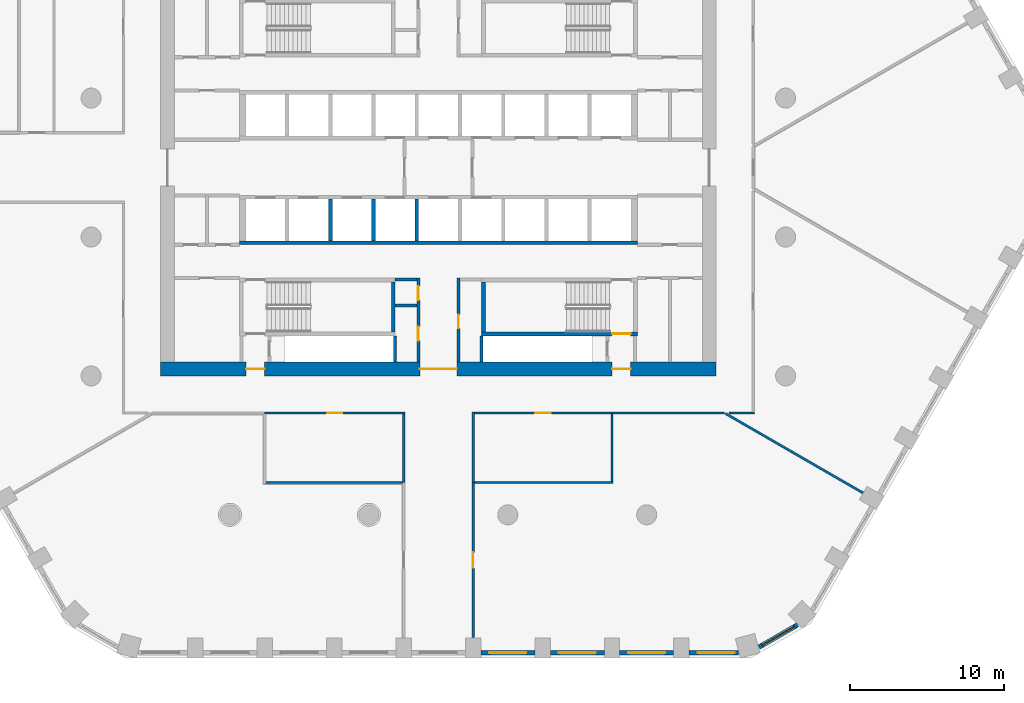
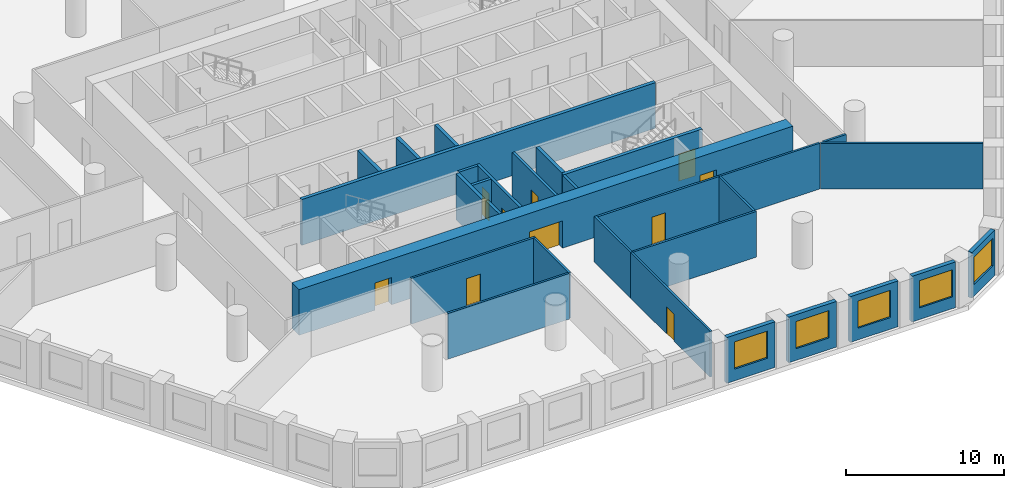
# One storey, part 3 of 14: 30 walls, 10 doors, 5 windows, 15 openings.
"""IFC4 building model written with IfcOpenShell, lengths in metres."""

from ifc_helpers import new_model, si_unit, direction, frame, frame_2d, origin, place, context, subcontext, project, spatial, polyline, rectangle, outline, extrude, material, layer, layer_set, type_object, element, fill, save


model = new_model("IFC4")

# Units and contexts
model_context = context("Model", 3, precision=1e-05, world=origin(), true_north=direction((0.0, 1.0)))
body_context = subcontext(model_context, "Body", "Model", "MODEL_VIEW")
ifc_project = project(units=[si_unit("LENGTHUNIT", "METRE"), si_unit("AREAUNIT", "SQUARE_METRE"), si_unit("VOLUMEUNIT", "CUBIC_METRE"), si_unit("PLANEANGLEUNIT", "RADIAN"), si_unit("MASSUNIT", "GRAM", prefix="KILO")], contexts=[model_context])

# Site, building, storey
site_placement = place(None, origin())
site = spatial("IfcSite", under=ifc_project, at=site_placement, CompositionType="ELEMENT")
building_placement = place(site_placement, origin())
building = spatial("IfcBuilding", under=site, at=building_placement, Name="Dhurran Vertical Campus", CompositionType="ELEMENT")
storey_placement = place(building_placement, frame((0.0, 0.0, 93.0)))
storey = spatial("IfcBuildingStorey", under=building, at=storey_placement, Name="L22", CompositionType="ELEMENT", Elevation=93.0)

# Wall, opening, window
ifc_material_1 = material(Name="Precast concrete C50/60", Category="concrete")
ifc_layer_1 = layer(ifc_material_1, 0.300048828125)
ifc_layer_set_1 = layer_set([ifc_layer_1], Name="Precast concrete C50/60")
wall_type_1 = type_object("IfcWallType", Name="Precast spandrel wall 300", PredefinedType="SOLIDWALL", material=ifc_layer_set_1)
wall_1_placement = place(storey_placement, frame((2.75048828125, -31.4296875, 0.0), z_axis=(0.0, 0.0, 1.0), x_axis=(1.0, 0.0, 0.0)))
wall_1 = element("IfcWall", 1, at=wall_1_placement, inside=storey, type_object=wall_type_1, Name="EW1 L22.05", PredefinedType="SOLIDWALL", context=body_context, shape_type="SweptSolid", body=[
    extrude(rectangle(XDim=3.4990234375, YDim=0.300048828125, at=frame_2d((1.74951171875, 0.0))), origin(), (0.0, 0.0, 1.0), 3.52490234375),
])
opening_1_placement = place(wall_1_placement, frame((0.549560546875, 0.0, 0.89990234375)))
opening_1 = element("IfcOpeningElement", 2, at=opening_1_placement, cuts=wall_1, Name="Opening WT1", PredefinedType="OPENING", context=body_context, shape_type="SweptSolid", body=[
    extrude(rectangle(XDim=2.39990234375, YDim=2.10009765625, at=frame_2d((1.199951171875, 1.050048828125))), frame((0.0, 0.159912109375, 0.0), z_axis=(0.0, -1.0, 0.0), x_axis=(1.0, 0.0, 0.0)), (0.0, 0.0, 1.0), 0.320068359375),
])
ifc_material_2 = material(Name="Aluminium frame with solar-control glass", Category="aluminium")
window_type = type_object("IfcWindowType", Name="Punched window 2400 x 2100", PartitioningType="SINGLE_PANEL", PredefinedType="WINDOW", material=ifc_material_2)
window_1_placement = place(opening_1_placement, origin())
window_1 = element("IfcWindow", 3, at=window_1_placement, inside=storey, type_object=window_type, Name="WT1 L22.05", OverallHeight=2.10009765625, OverallWidth=2.39990234375, PartitioningType="SINGLE_PANEL", PredefinedType="WINDOW", context=body_context, shape_type="SweptSolid", body=[
    extrude(rectangle(XDim=2.39990234375, YDim=2.10009765625, at=frame_2d((1.199951171875, 1.050048828125))), frame((0.0, 0.030029296875, 0.0), z_axis=(0.0, -1.0, 0.0), x_axis=(1.0, 0.0, 0.0)), (0.0, 0.0, 1.0), 0.06005859375),
])
fill(opening_1, window_1)

wall_2_placement = place(storey_placement, frame((7.25048828125, -31.4296875, 0.0), z_axis=(0.0, 0.0, 1.0), x_axis=(1.0, 0.0, 0.0)))
wall_2 = element("IfcWall", 4, at=wall_2_placement, inside=storey, type_object=wall_type_1, Name="EW1 L22.06", PredefinedType="SOLIDWALL", context=body_context, shape_type="SweptSolid", body=[
    extrude(rectangle(XDim=3.4990234375, YDim=0.300048828125, at=frame_2d((1.74951171875, 0.0))), origin(), (0.0, 0.0, 1.0), 3.52490234375),
])
opening_2_placement = place(wall_2_placement, frame((0.549560546875, 0.0, 0.89990234375)))
opening_2 = element("IfcOpeningElement", 5, at=opening_2_placement, cuts=wall_2, Name="Opening WT1", PredefinedType="OPENING", context=body_context, shape_type="SweptSolid", body=[
    extrude(rectangle(XDim=2.39990234375, YDim=2.10009765625, at=frame_2d((1.199951171875, 1.050048828125))), frame((0.0, 0.159912109375, 0.0), z_axis=(0.0, -1.0, 0.0), x_axis=(1.0, 0.0, 0.0)), (0.0, 0.0, 1.0), 0.320068359375),
])
window_2_placement = place(opening_2_placement, origin())
window_2 = element("IfcWindow", 6, at=window_2_placement, inside=storey, type_object=window_type, Name="WT1 L22.06", OverallHeight=2.10009765625, OverallWidth=2.39990234375, PartitioningType="SINGLE_PANEL", PredefinedType="WINDOW", context=body_context, shape_type="SweptSolid", body=[
    extrude(rectangle(XDim=2.39990234375, YDim=2.10009765625, at=frame_2d((1.199951171875, 1.050048828125))), frame((0.0, 0.030029296875, 0.0), z_axis=(0.0, -1.0, 0.0), x_axis=(1.0, 0.0, 0.0)), (0.0, 0.0, 1.0), 0.06005859375),
])
fill(opening_2, window_2)

wall_3_placement = place(storey_placement, frame((11.75048828125, -31.4296875, 0.0), z_axis=(0.0, 0.0, 1.0), x_axis=(1.0, 0.0, 0.0)))
wall_3 = element("IfcWall", 7, at=wall_3_placement, inside=storey, type_object=wall_type_1, Name="EW1 L22.07", PredefinedType="SOLIDWALL", context=body_context, shape_type="SweptSolid", body=[
    extrude(rectangle(XDim=3.4990234375, YDim=0.300048828125, at=frame_2d((1.74951171875, 0.0))), origin(), (0.0, 0.0, 1.0), 3.52490234375),
])
opening_3_placement = place(wall_3_placement, frame((0.549560546875, 0.0, 0.89990234375)))
opening_3 = element("IfcOpeningElement", 8, at=opening_3_placement, cuts=wall_3, Name="Opening WT1", PredefinedType="OPENING", context=body_context, shape_type="SweptSolid", body=[
    extrude(rectangle(XDim=2.39990234375, YDim=2.10009765625, at=frame_2d((1.199951171875, 1.050048828125))), frame((0.0, 0.159912109375, 0.0), z_axis=(0.0, -1.0, 0.0), x_axis=(1.0, 0.0, 0.0)), (0.0, 0.0, 1.0), 0.320068359375),
])
window_3_placement = place(opening_3_placement, origin())
window_3 = element("IfcWindow", 9, at=window_3_placement, inside=storey, type_object=window_type, Name="WT1 L22.07", OverallHeight=2.10009765625, OverallWidth=2.39990234375, PartitioningType="SINGLE_PANEL", PredefinedType="WINDOW", context=body_context, shape_type="SweptSolid", body=[
    extrude(rectangle(XDim=2.39990234375, YDim=2.10009765625, at=frame_2d((1.199951171875, 1.050048828125))), frame((0.0, 0.030029296875, 0.0), z_axis=(0.0, -1.0, 0.0), x_axis=(1.0, 0.0, 0.0)), (0.0, 0.0, 1.0), 0.06005859375),
])
fill(opening_3, window_3)

wall_4_placement = place(storey_placement, frame((16.25048828125, -31.4296875, 0.0), z_axis=(0.0, 0.0, 1.0), x_axis=(1.0, 0.0, 0.0)))
wall_4 = element("IfcWall", 10, at=wall_4_placement, inside=storey, type_object=wall_type_1, Name="EW1 L22.08", PredefinedType="SOLIDWALL", context=body_context, shape_type="SweptSolid", body=[
    extrude(rectangle(XDim=3.1923828125, YDim=0.300048828125, at=frame_2d((1.59619140625, 0.0))), origin(), (0.0, 0.0, 1.0), 3.52490234375),
])
opening_4_placement = place(wall_4_placement, frame((0.549560546875, 0.0, 0.89990234375)))
opening_4 = element("IfcOpeningElement", 11, at=opening_4_placement, cuts=wall_4, Name="Opening WT1", PredefinedType="OPENING", context=body_context, shape_type="SweptSolid", body=[
    extrude(rectangle(XDim=2.39990234375, YDim=2.10009765625, at=frame_2d((1.199951171875, 1.050048828125))), frame((0.0, 0.159912109375, 0.0), z_axis=(0.0, -1.0, 0.0), x_axis=(1.0, 0.0, 0.0)), (0.0, 0.0, 1.0), 0.320068359375),
])
window_4_placement = place(opening_4_placement, origin())
window_4 = element("IfcWindow", 12, at=window_4_placement, inside=storey, type_object=window_type, Name="WT1 L22.08", OverallHeight=2.10009765625, OverallWidth=2.39990234375, PartitioningType="SINGLE_PANEL", PredefinedType="WINDOW", context=body_context, shape_type="SweptSolid", body=[
    extrude(rectangle(XDim=2.39990234375, YDim=2.10009765625, at=frame_2d((1.199951171875, 1.050048828125))), frame((0.0, 0.030029296875, 0.0), z_axis=(0.0, -1.0, 0.0), x_axis=(1.0, 0.0, 0.0)), (0.0, 0.0, 1.0), 0.06005859375),
])
fill(opening_4, window_4)

wall_5_placement = place(storey_placement, frame((20.774169921875, -31.072998046875, 0.0), z_axis=(0.0, 0.0, 1.0), x_axis=(0.866053149362, 0.49995194017, 0.0)))
wall_5 = element("IfcWall", 13, at=wall_5_placement, inside=storey, type_object=wall_type_1, Name="EW1 L22.09", PredefinedType="SOLIDWALL", context=body_context, shape_type="SweptSolid", body=[
    extrude(rectangle(XDim=2.885498046875, YDim=0.300048828125, at=frame_2d((1.44287109375, 0.0))), origin(), (0.0, 0.0, 1.0), 3.52490234375),
])
opening_5_placement = place(wall_5_placement, frame((0.242919921875, 0.0, 0.89990234375)))
opening_5 = element("IfcOpeningElement", 14, at=opening_5_placement, cuts=wall_5, Name="Opening WT1", PredefinedType="OPENING", context=body_context, shape_type="SweptSolid", body=[
    extrude(rectangle(XDim=2.39990234375, YDim=2.10009765625, at=frame_2d((1.199951171875, 1.050048828125))), frame((0.0, 0.159912109375, 0.0), z_axis=(0.0, -1.0, 0.0), x_axis=(1.0, 0.0, 0.0)), (0.0, 0.0, 1.0), 0.320068359375),
])
window_5_placement = place(opening_5_placement, origin())
window_5 = element("IfcWindow", 15, at=window_5_placement, inside=storey, type_object=window_type, Name="WT1 L22.09", OverallHeight=2.10009765625, OverallWidth=2.39990234375, PartitioningType="SINGLE_PANEL", PredefinedType="WINDOW", context=body_context, shape_type="SweptSolid", body=[
    extrude(rectangle(XDim=2.39990234375, YDim=2.10009765625, at=frame_2d((1.199951171875, 1.050048828125))), frame((0.0, 0.030029296875, 0.0), z_axis=(0.0, -1.0, 0.0), x_axis=(1.0, 0.0, 0.0)), (0.0, 0.0, 1.0), 0.06005859375),
])
fill(opening_5, window_5)

# Wall, openings, doors
ifc_material_3 = material(Name="Concrete C60/75", Category="concrete")
ifc_layer_2 = layer(ifc_material_3, 0.89990234375)
ifc_layer_set_2 = layer_set([ifc_layer_2], Name="Concrete C60/75")
wall_type_2 = type_object("IfcWallType", Name="co-CORE-WALL-C0-900", PredefinedType="SHEAR", material=ifc_layer_set_2)
wall_6_placement = place(storey_placement, frame((-18.0, -13.050048828125, 0.0), z_axis=(0.0, 0.0, 1.0), x_axis=(1.0, 0.0, 0.0)))
wall_6 = element("IfcWall", 16, at=wall_6_placement, inside=storey, type_object=wall_type_2, Name="Core wall S L22", PredefinedType="SHEAR", context=body_context, shape_type="SweptSolid", body=[
    extrude(rectangle(XDim=36.0, YDim=0.89990234375, at=frame_2d((18.0, 0.0))), origin(), (0.0, 0.0, 1.0), 3.52490234375),
])
opening_6_placement = place(wall_6_placement, frame((16.800048828125, 0.0, 0.0)))
opening_6 = element("IfcOpeningElement", 17, at=opening_6_placement, cuts=wall_6, Name="Opening CV2", PredefinedType="OPENING", context=body_context, shape_type="SweptSolid", body=[
    extrude(rectangle(XDim=2.39990234375, YDim=2.10009765625, at=frame_2d((1.199951171875, 1.050048828125))), frame((0.0, 0.4599609375, 0.0), z_axis=(0.0, -1.0, 0.0), x_axis=(1.0, 0.0, 0.0)), (0.0, 0.0, 1.0), 0.919921875),
])
opening_7_placement = place(wall_6_placement, frame((5.550048828125, 0.0, 0.0)))
opening_7 = element("IfcOpeningElement", 18, at=opening_7_placement, cuts=wall_6, Name="Opening XD3", PredefinedType="OPENING", context=body_context, shape_type="SweptSolid", body=[
    extrude(rectangle(XDim=1.199951171875, YDim=2.10009765625, at=frame_2d((0.60009765625, 1.050048828125))), frame((0.0, 0.4599609375, 0.0), z_axis=(0.0, -1.0, 0.0), x_axis=(1.0, 0.0, 0.0)), (0.0, 0.0, 1.0), 0.919921875),
])
opening_8_placement = place(wall_6_placement, frame((29.25, 0.0, 0.0)))
opening_8 = element("IfcOpeningElement", 19, at=opening_8_placement, cuts=wall_6, Name="Opening XD4", PredefinedType="OPENING", context=body_context, shape_type="SweptSolid", body=[
    extrude(rectangle(XDim=1.199951171875, YDim=2.10009765625, at=frame_2d((0.60009765625, 1.050048828125))), frame((0.0, 0.4599609375, 0.0), z_axis=(0.0, -1.0, 0.0), x_axis=(1.0, 0.0, 0.0)), (0.0, 0.0, 1.0), 0.919921875),
])
ifc_material_4 = material(Name="Fire-rated glazed door set")
door_type_1 = type_object("IfcDoorType", Name="co-D-LOBBY 2400x2100", OperationType="DOUBLE_DOOR_DOUBLE_SWING", PredefinedType="DOOR", material=ifc_material_4)
door_1_placement = place(opening_6_placement, origin())
door_1 = element("IfcDoor", 20, at=door_1_placement, inside=storey, type_object=door_type_1, Name="Core vestibule door S L22", OperationType="DOUBLE_DOOR_DOUBLE_SWING", OverallHeight=2.10009765625, OverallWidth=2.39990234375, PredefinedType="DOOR", context=body_context, shape_type="SweptSolid", body=[
    extrude(rectangle(XDim=2.39990234375, YDim=2.10009765625, at=frame_2d((1.199951171875, 1.050048828125))), frame((0.0, 0.02490234375, 0.0), z_axis=(0.0, -1.0, 0.0), x_axis=(1.0, 0.0, 0.0)), (0.0, 0.0, 1.0), 0.050048828125),
])
fill(opening_6, door_1)
ifc_material_5 = material(Name="Fire-rated steel door set", Category="steel")
door_type_2 = type_object("IfcDoorType", Name="co-D-STAIR-EXIT 1200x2100", OperationType="SINGLE_SWING_RIGHT", PredefinedType="DOOR", material=ifc_material_5)
door_2_placement = place(opening_7_placement, origin())
door_2 = element("IfcDoor", 21, at=door_2_placement, inside=storey, type_object=door_type_2, Name="Stair ST3 exit door L22", OperationType="SINGLE_SWING_RIGHT", OverallHeight=2.10009765625, OverallWidth=1.199951171875, PredefinedType="DOOR", context=body_context, shape_type="SweptSolid", body=[
    extrude(rectangle(XDim=1.199951171875, YDim=2.10009765625, at=frame_2d((0.60009765625, 1.050048828125))), frame((0.0, 0.02490234375, 0.0), z_axis=(0.0, -1.0, 0.0), x_axis=(1.0, 0.0, 0.0)), (0.0, 0.0, 1.0), 0.050048828125),
])
fill(opening_7, door_2)
door_3_placement = place(opening_8_placement, origin())
door_3 = element("IfcDoor", 22, at=door_3_placement, inside=storey, type_object=door_type_2, Name="Stair ST4 exit door L22", OperationType="SINGLE_SWING_RIGHT", OverallHeight=2.10009765625, OverallWidth=1.199951171875, PredefinedType="DOOR", context=body_context, shape_type="SweptSolid", body=[
    extrude(rectangle(XDim=1.199951171875, YDim=2.10009765625, at=frame_2d((0.60009765625, 1.050048828125))), frame((0.0, 0.02490234375, 0.0), z_axis=(0.0, -1.0, 0.0), x_axis=(1.0, 0.0, 0.0)), (0.0, 0.0, 1.0), 0.050048828125),
])
fill(opening_8, door_3)

# Walls
ifc_material_6 = material(Name="Fire-rated masonry blockwork", Category="masonry")
ifc_layer_3 = layer(ifc_material_6, 0.199951171875)
ifc_layer_set_3 = layer_set([ifc_layer_3], Name="Fire-rated masonry blockwork")
wall_type_3 = type_object("IfcWallType", Name="co-FIRE-PARTITION-200", PredefinedType="PARTITIONING", material=ifc_layer_set_3)
for number, where, z_axis, x_axis, name in (
    (23, (-2.800048828125, -7.25, 0.0), (0.0, 0.0, 1.0), (1.0, 0.0, 0.0), "Core partition sl-SW-S L22"),
    (24, (-2.800048828125, -8.925048828125, 0.0), (0.0, 0.0, 1.0), (1.0, 0.0, 0.0), "Core partition sl-SW-cut0 L22"),
):
    element("IfcWall", number, at=place(storey_placement, frame(where, z_axis=z_axis, x_axis=x_axis)), inside=storey, type_object=wall_type_3, Name=name, PredefinedType="PARTITIONING", context=body_context, shape_type="SweptSolid", body=[
        extrude(rectangle(XDim=1.400146484375, YDim=0.199951171875, at=frame_2d((0.7001953125, 0.0))), origin(), (0.0, 0.0, 1.0), 3.52490234375),
    ])

# Wall, openings, doors
wall_7_placement = place(storey_placement, frame((-1.300048828125, -12.60009765625, 0.0), z_axis=(0.0, 0.0, 1.0), x_axis=(0.0, 1.0, 0.0)))
wall_7 = element("IfcWall", 25, at=wall_7_placement, inside=storey, type_object=wall_type_3, Name="Core partition vest-SW L22", PredefinedType="PARTITIONING", context=body_context, shape_type="SweptSolid", body=[
    extrude(rectangle(XDim=5.4501953125, YDim=0.199951171875, at=frame_2d((2.72509765625, 0.0))), origin(), (0.0, 0.0, 1.0), 3.52490234375),
])
opening_9_placement = place(wall_7_placement, frame((1.387451171875, 0.0, 0.0)))
opening_9 = element("IfcOpeningElement", 26, at=opening_9_placement, cuts=wall_7, Name="Opening T06-C1", PredefinedType="OPENING", context=body_context, shape_type="SweptSolid", body=[
    extrude(rectangle(XDim=0.89990234375, YDim=2.10009765625, at=frame_2d((0.449951171875, 1.050048828125))), frame((0.0, 0.10986328125, 0.0), z_axis=(0.0, -1.0, 0.0), x_axis=(1.0, 0.0, 0.0)), (0.0, 0.0, 1.0), 0.219970703125),
])
opening_10_placement = place(wall_7_placement, frame((4.012451171875, 0.0, 0.0)))
opening_10 = element("IfcOpeningElement", 27, at=opening_10_placement, cuts=wall_7, Name="Opening T06-C2", PredefinedType="OPENING", context=body_context, shape_type="SweptSolid", body=[
    extrude(rectangle(XDim=0.89990234375, YDim=2.10009765625, at=frame_2d((0.449951171875, 1.050048828125))), frame((0.0, 0.10986328125, 0.0), z_axis=(0.0, -1.0, 0.0), x_axis=(1.0, 0.0, 0.0)), (0.0, 0.0, 1.0), 0.219970703125),
])
ifc_material_7 = material(Name="Fire-rated timber door set", Category="wood")
door_type_3 = type_object("IfcDoorType", Name="co-D-ROOM 900x2100", OperationType="SINGLE_SWING_LEFT", PredefinedType="DOOR", material=ifc_material_7)
door_4_placement = place(opening_9_placement, origin())
door_4 = element("IfcDoor", 28, at=door_4_placement, inside=storey, type_object=door_type_3, Name="Print room door L22", OperationType="SINGLE_SWING_LEFT", OverallHeight=2.10009765625, OverallWidth=0.89990234375, PredefinedType="DOOR", context=body_context, shape_type="SweptSolid", body=[
    extrude(rectangle(XDim=0.89990234375, YDim=2.10009765625, at=frame_2d((0.449951171875, 1.050048828125))), frame((0.0, 0.02490234375, 0.0), z_axis=(0.0, -1.0, 0.0), x_axis=(1.0, 0.0, 0.0)), (0.0, 0.0, 1.0), 0.050048828125),
])
fill(opening_9, door_4)
door_5_placement = place(opening_10_placement, origin())
door_5 = element("IfcDoor", 29, at=door_5_placement, inside=storey, type_object=door_type_3, Name="Cleaner's store door L22", OperationType="SINGLE_SWING_LEFT", OverallHeight=2.10009765625, OverallWidth=0.89990234375, PredefinedType="DOOR", context=body_context, shape_type="SweptSolid", body=[
    extrude(rectangle(XDim=0.89990234375, YDim=2.10009765625, at=frame_2d((0.449951171875, 1.050048828125))), frame((0.0, 0.02490234375, 0.0), z_axis=(0.0, -1.0, 0.0), x_axis=(1.0, 0.0, 0.0)), (0.0, 0.0, 1.0), 0.050048828125),
])
fill(opening_10, door_5)

# Wall, opening, door
wall_8_placement = place(storey_placement, frame((1.300048828125, -12.60009765625, 0.0), z_axis=(0.0, 0.0, 1.0), x_axis=(0.0, 1.0, 0.0)))
wall_8 = element("IfcWall", 30, at=wall_8_placement, inside=storey, type_object=wall_type_3, Name="Core partition vest-SE L22", PredefinedType="PARTITIONING", context=body_context, shape_type="SweptSolid", body=[
    extrude(rectangle(XDim=5.4501953125, YDim=0.199951171875, at=frame_2d((2.72509765625, 0.0))), origin(), (0.0, 0.0, 1.0), 3.52490234375),
])
opening_11_placement = place(wall_8_placement, frame((2.175048828125, 0.0, 0.0)))
opening_11 = element("IfcOpeningElement", 31, at=opening_11_placement, cuts=wall_8, Name="Opening T06-C3", PredefinedType="OPENING", context=body_context, shape_type="SweptSolid", body=[
    extrude(rectangle(XDim=0.89990234375, YDim=2.10009765625, at=frame_2d((0.449951171875, 1.050048828125))), frame((0.0, 0.10986328125, 0.0), z_axis=(0.0, -1.0, 0.0), x_axis=(1.0, 0.0, 0.0)), (0.0, 0.0, 1.0), 0.219970703125),
])
door_6_placement = place(opening_11_placement, origin())
door_6 = element("IfcDoor", 32, at=door_6_placement, inside=storey, type_object=door_type_3, Name="Fire equipment store door L22", OperationType="SINGLE_SWING_LEFT", OverallHeight=2.10009765625, OverallWidth=0.89990234375, PredefinedType="DOOR", context=body_context, shape_type="SweptSolid", body=[
    extrude(rectangle(XDim=0.89990234375, YDim=2.10009765625, at=frame_2d((0.449951171875, 1.050048828125))), frame((0.0, 0.02490234375, 0.0), z_axis=(0.0, -1.0, 0.0), x_axis=(1.0, 0.0, 0.0)), (0.0, 0.0, 1.0), 0.050048828125),
])
fill(opening_11, door_6)

# Walls
for number, where, z_axis, x_axis, name in (
    (33, (-2.800048828125, -12.59912109375, 0.0), (0.0, 0.0, 1.0), (0.0, 1.0, 0.0), "Riser enclosure wall L22"),
    (34, (2.800048828125, -10.90087890625, 0.0), (0.0, 0.0, 1.0), (0.0, -1.0, 0.0), "Riser enclosure wall L22"),
):
    element("IfcWall", number, at=place(storey_placement, frame(where, z_axis=z_axis, x_axis=x_axis)), inside=storey, type_object=wall_type_3, Name=name, PredefinedType="PARTITIONING", context=body_context, shape_type="SweptSolid", body=[
        extrude(rectangle(XDim=1.6982421875, YDim=0.199951171875, at=frame_2d((0.84912109375, 0.0))), origin(), (0.0, 0.0, 1.0), 3.52490234375),
    ])
ifc_material_8 = material(Name="Concrete C50/60", Category="concrete")
ifc_layer_4 = layer(ifc_material_8, 0.25)
ifc_layer_set_4 = layer_set([ifc_layer_4], Name="Concrete C50/60")
wall_type_4 = type_object("IfcWallType", Name="co-SHAFT-MASS-250", PredefinedType="SHEAR", material=ifc_layer_set_4)
wall_9_placement = place(storey_placement, origin())
element("IfcWall", 35, at=wall_9_placement, inside=storey, type_object=wall_type_4, Name="Lift shaft wall S L22 1", PredefinedType="SHEAR", context=body_context, shape_type="SweptSolid", body=[
    extrude(outline(polyline([(-12.89990234375, -5.0), (12.89990234375, -5.0), (12.89990234375, -4.75), (-12.89990234375, -4.75), (-12.89990234375, -5.0)])), origin(), (0.0, 0.0, 1.0), 3.52490234375),
])
wall_10_placement = place(storey_placement, origin())
element("IfcWall", 36, at=wall_10_placement, inside=storey, type_object=wall_type_4, Name="Lift shaft wall S L22 4", PredefinedType="SHEAR", context=body_context, shape_type="SweptSolid", body=[
    extrude(outline(polyline([(-7.125, -4.75), (-6.875, -4.75), (-6.875, -2.050048828125), (-7.125, -2.050048828125), (-7.125, -4.75)])), origin(), (0.0, 0.0, 1.0), 3.52490234375),
])
wall_11_placement = place(storey_placement, origin())
element("IfcWall", 37, at=wall_11_placement, inside=storey, type_object=wall_type_4, Name="Lift shaft wall S L22 5", PredefinedType="SHEAR", context=body_context, shape_type="SweptSolid", body=[
    extrude(outline(polyline([(-4.324951171875, -4.75), (-4.074951171875, -4.75), (-4.074951171875, -2.050048828125), (-4.324951171875, -2.050048828125), (-4.324951171875, -4.75)])), origin(), (0.0, 0.0, 1.0), 3.52490234375),
])
wall_12_placement = place(storey_placement, origin())
element("IfcWall", 38, at=wall_12_placement, inside=storey, type_object=wall_type_4, Name="Lift shaft wall S L22 6", PredefinedType="SHEAR", context=body_context, shape_type="SweptSolid", body=[
    extrude(outline(polyline([(-1.52490234375, -4.75), (-1.27490234375, -4.75), (-1.27490234375, -2.050048828125), (-1.52490234375, -2.050048828125), (-1.52490234375, -4.75)])), origin(), (0.0, 0.0, 1.0), 3.52490234375),
])
ifc_material_9 = material(Name="Concrete C40/50", Category="concrete")
ifc_layer_5 = layer(ifc_material_9, 0.25)
ifc_layer_set_5 = layer_set([ifc_layer_5], Name="Concrete C40/50")
wall_type_5 = type_object("IfcWallType", Name="co-STAIR-WALL-250", PredefinedType="SHEAR", material=ifc_layer_set_5)
wall_13_placement = place(storey_placement, frame((-2.925048828125, -10.64990234375, 0.0), z_axis=(0.0, 0.0, 1.0), x_axis=(0.0, 1.0, 0.0)))
element("IfcWall", 39, at=wall_13_placement, inside=storey, type_object=wall_type_5, Name="Stair ST3 enclosure wall L22", PredefinedType="SHEAR", context=body_context, shape_type="SweptSolid", body=[
    extrude(rectangle(XDim=3.25, YDim=0.25, at=frame_2d((1.625, 0.0))), origin(), (0.0, 0.0, 1.0), 3.52490234375),
])

# Wall, opening, door
wall_14_placement = place(storey_placement, frame((2.800048828125, -10.77490234375, 0.0), z_axis=(0.0, 0.0, 1.0), x_axis=(1.0, 0.0, 0.0)))
wall_14 = element("IfcWall", 40, at=wall_14_placement, inside=storey, type_object=wall_type_5, Name="Stair ST4 enclosure wall L22", PredefinedType="SHEAR", context=body_context, shape_type="SweptSolid", body=[
    extrude(rectangle(XDim=10.099853515625, YDim=0.25, at=frame_2d((5.0498046875, 0.0))), origin(), (0.0, 0.0, 1.0), 3.52490234375),
])
opening_12_placement = place(wall_14_placement, frame((8.449951171875, 0.0, 0.0)))
opening_12 = element("IfcOpeningElement", 41, at=opening_12_placement, cuts=wall_14, Name="Opening XS4", PredefinedType="OPENING", context=body_context, shape_type="SweptSolid", body=[
    extrude(rectangle(XDim=1.199951171875, YDim=2.10009765625, at=frame_2d((0.60009765625, 1.050048828125))), frame((0.0, 0.135009765625, 0.0), z_axis=(0.0, -1.0, 0.0), x_axis=(1.0, 0.0, 0.0)), (0.0, 0.0, 1.0), 0.27001953125),
])
door_7_placement = place(opening_12_placement, origin())
door_7 = element("IfcDoor", 42, at=door_7_placement, inside=storey, type_object=door_type_2, Name="Stair ST4 discharge door L22", OperationType="SINGLE_SWING_RIGHT", OverallHeight=2.10009765625, OverallWidth=1.199951171875, PredefinedType="DOOR", context=body_context, shape_type="SweptSolid", body=[
    extrude(rectangle(XDim=1.199951171875, YDim=2.10009765625, at=frame_2d((0.60009765625, 1.050048828125))), frame((0.0, 0.02490234375, 0.0), z_axis=(0.0, -1.0, 0.0), x_axis=(1.0, 0.0, 0.0)), (0.0, 0.0, 1.0), 0.050048828125),
])
fill(opening_12, door_7)

# Wall
wall_15_placement = place(storey_placement, frame((2.925048828125, -10.64990234375, 0.0), z_axis=(0.0, 0.0, 1.0), x_axis=(0.0, 1.0, 0.0)))
element("IfcWall", 43, at=wall_15_placement, inside=storey, type_object=wall_type_5, Name="Stair ST4 enclosure wall L22", PredefinedType="SHEAR", context=body_context, shape_type="SweptSolid", body=[
    extrude(rectangle(XDim=3.25, YDim=0.25, at=frame_2d((1.625, 0.0))), origin(), (0.0, 0.0, 1.0), 3.52490234375),
])

# Wall, opening, door
ifc_material_10 = material(Name="Gypsum board corridor wall on steel studs", Category="steel")
ifc_layer_6 = layer(ifc_material_10, 0.14990234375)
ifc_layer_set_6 = layer_set([ifc_layer_6], Name="Gypsum board corridor wall on steel studs")
wall_type_6 = type_object("IfcWallType", Name="fl-CW-150 corridor wall", PredefinedType="PARTITIONING", material=ifc_layer_set_6)
wall_16_placement = place(storey_placement, frame((-11.25, -15.89990234375, 0.0), z_axis=(0.0, 0.0, 1.0), x_axis=(1.0, 0.0, 0.0)))
wall_16 = element("IfcWall", 44, at=wall_16_placement, inside=storey, type_object=wall_type_6, Name="Partition 22-20", PredefinedType="PARTITIONING", context=body_context, shape_type="SweptSolid", body=[
    extrude(rectangle(XDim=9.074951171875, YDim=0.14990234375, at=frame_2d((4.53759765625, 0.0))), origin(), (0.0, 0.0, 1.0), 3.52490234375),
])
opening_13_placement = place(wall_16_placement, frame((4.03759765625, 0.0, 0.0)))
opening_13 = element("IfcOpeningElement", 45, at=opening_13_placement, cuts=wall_16, Name="Opening T06.08", PredefinedType="OPENING", context=body_context, shape_type="SweptSolid", body=[
    extrude(rectangle(XDim=1.0, YDim=2.10009765625, at=frame_2d((0.5, 1.050048828125))), frame((0.0, 0.0849609375, 0.0), z_axis=(0.0, -1.0, 0.0), x_axis=(1.0, 0.0, 0.0)), (0.0, 0.0, 1.0), 0.169921875),
])
ifc_material_11 = material(Name="Solid-core timber door set, fire-rated", Category="wood")
door_type_4 = type_object("IfcDoorType", Name="fl-D-1000x2100", OperationType="SINGLE_SWING_LEFT", PredefinedType="DOOR", material=ifc_material_11)
door_8_placement = place(opening_13_placement, origin())
door_8 = element("IfcDoor", 46, at=door_8_placement, inside=storey, type_object=door_type_4, Name="Door 22.08", OperationType="SINGLE_SWING_RIGHT", OverallHeight=2.10009765625, OverallWidth=1.0, PredefinedType="DOOR", context=body_context, shape_type="SweptSolid", body=[
    extrude(rectangle(XDim=1.0, YDim=2.10009765625, at=frame_2d((0.5, 1.050048828125))), frame((0.0, 0.02490234375, 0.0), z_axis=(0.0, -1.0, 0.0), x_axis=(1.0, 0.0, 0.0)), (0.0, 0.0, 1.0), 0.050048828125),
])
fill(opening_13, door_8)

# Wall
wall_17_placement = place(storey_placement, frame((-2.25, -20.39990234375, 0.0), z_axis=(0.0, 0.0, 1.0), x_axis=(0.0, 1.0, 0.0)))
element("IfcWall", 47, at=wall_17_placement, inside=storey, type_object=wall_type_6, Name="Partition 22-25", PredefinedType="PARTITIONING", context=body_context, shape_type="SweptSolid", body=[
    extrude(rectangle(XDim=4.4248046875, YDim=0.14990234375, at=frame_2d((2.21240234375, 0.0))), origin(), (0.0, 0.0, 1.0), 3.52490234375),
])

# Wall, opening, door
wall_18_placement = place(storey_placement, frame((2.25, -20.39990234375, 0.0), z_axis=(0.0, 0.0, 1.0), x_axis=(0.0, -1.0, 0.0)))
wall_18 = element("IfcWall", 48, at=wall_18_placement, inside=storey, type_object=wall_type_6, Name="Partition 22-28", PredefinedType="PARTITIONING", context=body_context, shape_type="SweptSolid", body=[
    extrude(rectangle(XDim=10.059814453125, YDim=0.14990234375, at=frame_2d((5.02978515625, 0.0))), origin(), (0.0, 0.0, 1.0), 3.52490234375),
])
opening_14_placement = place(wall_18_placement, frame((4.52978515625, 0.0, 0.0)))
opening_14 = element("IfcOpeningElement", 49, at=opening_14_placement, cuts=wall_18, Name="Opening T06.13", PredefinedType="OPENING", context=body_context, shape_type="SweptSolid", body=[
    extrude(rectangle(XDim=1.0, YDim=2.10009765625, at=frame_2d((0.5, 1.050048828125))), frame((0.0, 0.0849609375, 0.0), z_axis=(0.0, -1.0, 0.0), x_axis=(1.0, 0.0, 0.0)), (0.0, 0.0, 1.0), 0.169921875),
])
door_9_placement = place(opening_14_placement, origin())
door_9 = element("IfcDoor", 50, at=door_9_placement, inside=storey, type_object=door_type_4, Name="Door 22.13", OperationType="SINGLE_SWING_RIGHT", OverallHeight=2.10009765625, OverallWidth=1.0, PredefinedType="DOOR", context=body_context, shape_type="SweptSolid", body=[
    extrude(rectangle(XDim=1.0, YDim=2.10009765625, at=frame_2d((0.5, 1.050048828125))), frame((0.0, 0.02490234375, 0.0), z_axis=(0.0, -1.0, 0.0), x_axis=(1.0, 0.0, 0.0)), (0.0, 0.0, 1.0), 0.050048828125),
])
fill(opening_14, door_9)

# Wall
wall_19_placement = place(storey_placement, frame((2.25, -15.824951171875, 0.0), z_axis=(0.0, 0.0, 1.0), x_axis=(0.0, -1.0, 0.0)))
element("IfcWall", 51, at=wall_19_placement, inside=storey, type_object=wall_type_6, Name="Partition 22-29", PredefinedType="PARTITIONING", context=body_context, shape_type="SweptSolid", body=[
    extrude(rectangle(XDim=4.574951171875, YDim=0.14990234375, at=frame_2d((2.28759765625, 0.0))), origin(), (0.0, 0.0, 1.0), 3.52490234375),
])

# Wall, opening, door
wall_20_placement = place(storey_placement, frame((2.324951171875, -15.89990234375, 0.0), z_axis=(0.0, 0.0, 1.0), x_axis=(1.0, 0.0, 0.0)))
wall_20 = element("IfcWall", 52, at=wall_20_placement, inside=storey, type_object=wall_type_6, Name="Partition 22-31", PredefinedType="PARTITIONING", context=body_context, shape_type="SweptSolid", body=[
    extrude(rectangle(XDim=8.925048828125, YDim=0.14990234375, at=frame_2d((4.46240234375, 0.0))), origin(), (0.0, 0.0, 1.0), 3.52490234375),
])
opening_15_placement = place(wall_20_placement, frame((3.96240234375, 0.0, 0.0)))
opening_15 = element("IfcOpeningElement", 53, at=opening_15_placement, cuts=wall_20, Name="Opening T06.11", PredefinedType="OPENING", context=body_context, shape_type="SweptSolid", body=[
    extrude(rectangle(XDim=1.0, YDim=2.10009765625, at=frame_2d((0.5, 1.050048828125))), frame((0.0, 0.0849609375, 0.0), z_axis=(0.0, -1.0, 0.0), x_axis=(1.0, 0.0, 0.0)), (0.0, 0.0, 1.0), 0.169921875),
])
door_10_placement = place(opening_15_placement, origin())
door_10 = element("IfcDoor", 54, at=door_10_placement, inside=storey, type_object=door_type_4, Name="Door 22.11", OperationType="SINGLE_SWING_RIGHT", OverallHeight=2.10009765625, OverallWidth=1.0, PredefinedType="DOOR", context=body_context, shape_type="SweptSolid", body=[
    extrude(rectangle(XDim=1.0, YDim=2.10009765625, at=frame_2d((0.5, 1.050048828125))), frame((0.0, 0.02490234375, 0.0), z_axis=(0.0, -1.0, 0.0), x_axis=(1.0, 0.0, 0.0)), (0.0, 0.0, 1.0), 0.050048828125),
])
fill(opening_15, door_10)

# Walls
wall_21_placement = place(storey_placement, frame((11.25, -15.89990234375, 0.0), z_axis=(0.0, 0.0, 1.0), x_axis=(1.0, 0.0, 0.0)))
element("IfcWall", 55, at=wall_21_placement, inside=storey, type_object=wall_type_6, Name="Partition 22-41", PredefinedType="PARTITIONING", context=body_context, shape_type="SweptSolid", body=[
    extrude(rectangle(XDim=7.2900390625, YDim=0.14990234375, at=frame_2d((3.64501953125, 0.0))), origin(), (0.0, 0.0, 1.0), 3.52490234375),
])
wall_22_placement = place(storey_placement, frame((18.81494140625, -15.89990234375, 0.0), z_axis=(0.0, 0.0, 1.0), x_axis=(1.0, 0.0, 0.0)))
element("IfcWall", 56, at=wall_22_placement, inside=storey, type_object=wall_type_6, Name="Partition 22-42", PredefinedType="PARTITIONING", context=body_context, shape_type="SweptSolid", body=[
    extrude(rectangle(XDim=1.66015625, YDim=0.14990234375, at=frame_2d((0.830078125, 0.0))), origin(), (0.0, 0.0, 1.0), 3.52490234375),
])
ifc_material_12 = material(Name="Gypsum board partition on steel studs", Category="steel")
ifc_layer_7 = layer(ifc_material_12, 0.14990234375)
ifc_layer_set_7 = layer_set([ifc_layer_7], Name="Gypsum board partition on steel studs")
wall_type_7 = type_object("IfcWallType", Name="fl-PW-150 fixed partition", PredefinedType="PARTITIONING", material=ifc_layer_set_7)
wall_23_placement = place(storey_placement, frame((-11.175048828125, -20.39990234375, 0.0), z_axis=(0.0, 0.0, 1.0), x_axis=(1.0, 0.0, 0.0)))
element("IfcWall", 57, at=wall_23_placement, inside=storey, type_object=wall_type_7, Name="Partition 22-19", PredefinedType="PARTITIONING", context=body_context, shape_type="SweptSolid", body=[
    extrude(rectangle(XDim=8.85009765625, YDim=0.14990234375, at=frame_2d((4.425048828125, 0.0))), origin(), (0.0, 0.0, 1.0), 3.52490234375),
])
wall_24_placement = place(storey_placement, frame((11.324951171875, -20.39990234375, 0.0), z_axis=(0.0, 0.0, 1.0), x_axis=(-1.0, 0.0, 0.0)))
element("IfcWall", 58, at=wall_24_placement, inside=storey, type_object=wall_type_7, Name="Partition 22-30", PredefinedType="PARTITIONING", context=body_context, shape_type="SweptSolid", body=[
    extrude(rectangle(XDim=9.0, YDim=0.14990234375, at=frame_2d((4.5, 0.0))), origin(), (0.0, 0.0, 1.0), 3.52490234375),
])
wall_25_placement = place(storey_placement, frame((11.25, -15.97509765625, 0.0), z_axis=(0.0, 0.0, 1.0), x_axis=(0.0, -1.0, 0.0)))
element("IfcWall", 59, at=wall_25_placement, inside=storey, type_object=wall_type_7, Name="Partition 22-40", PredefinedType="PARTITIONING", context=body_context, shape_type="SweptSolid", body=[
    extrude(rectangle(XDim=4.349853515625, YDim=0.14990234375, at=frame_2d((2.1748046875, 0.0))), origin(), (0.0, 0.0, 1.0), 3.52490234375),
])
wall_26_placement = place(storey_placement, frame((18.60498046875, -15.9375, 0.0), z_axis=(0.0, 0.0, 1.0), x_axis=(0.8659928916, -0.500056308527, 0.0)))
element("IfcWall", 60, at=wall_26_placement, inside=storey, type_object=wall_type_7, Name="Partition 22-43", PredefinedType="PARTITIONING", context=body_context, shape_type="SweptSolid", body=[
    extrude(rectangle(XDim=10.275634765625, YDim=0.14990234375, at=frame_2d((5.1376953125, 0.0))), origin(), (0.0, 0.0, 1.0), 3.52490234375),
])

save(model, "model.ifc")
